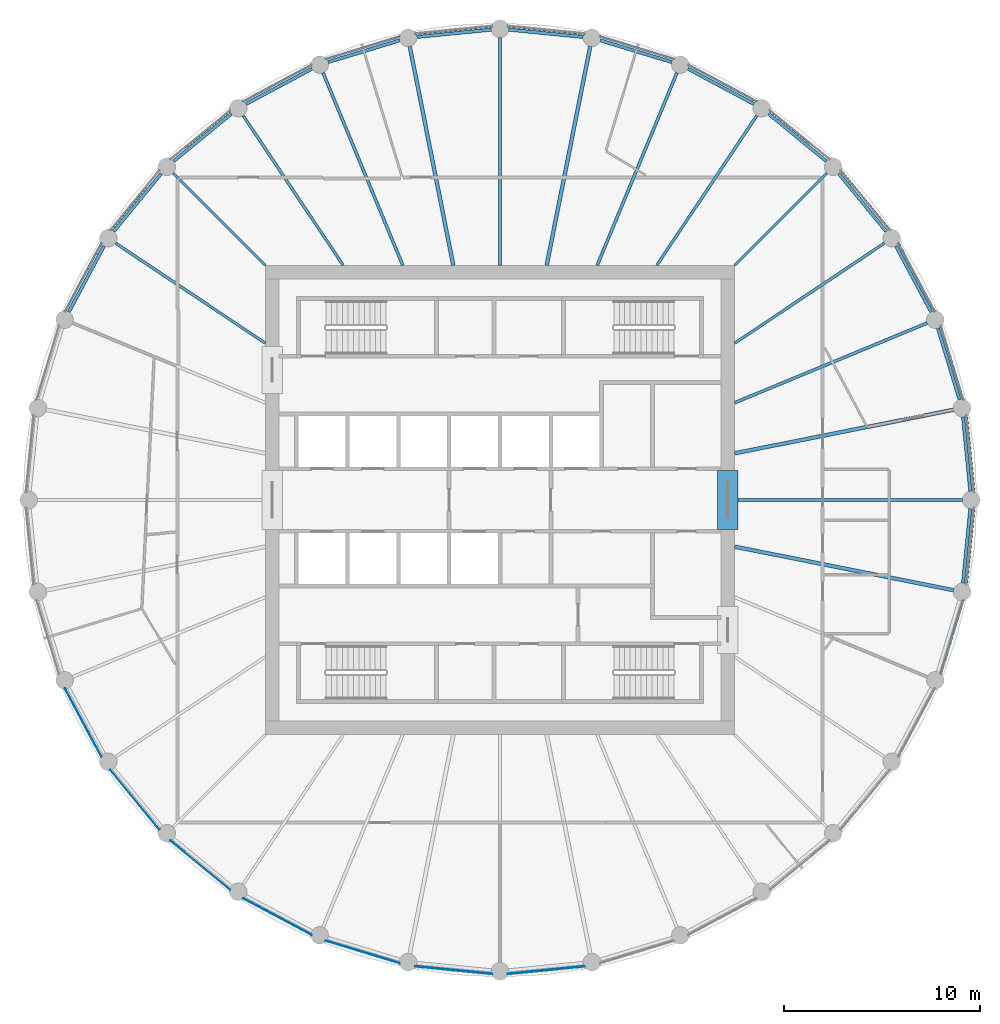
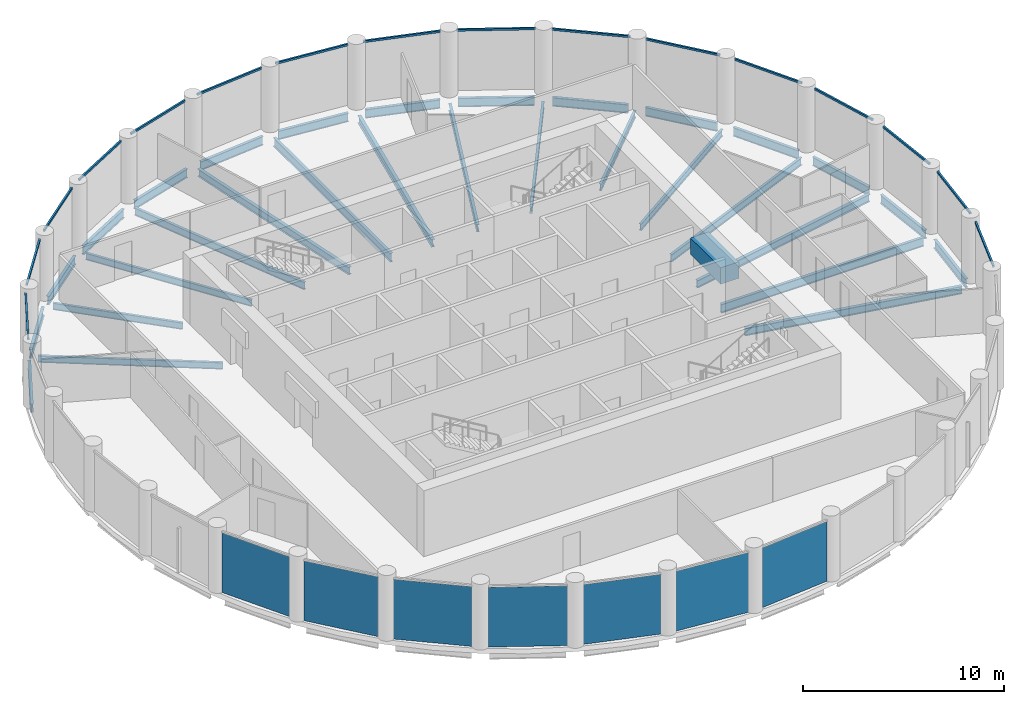
# One storey, part 2 of 7: 31 beams, 16 members, 7 plates, 23 elements without a shape of their own.
"""IFC4 building model written with IfcOpenShell, lengths in metres."""

from ifc_helpers import new_model, si_unit, direction, frame, origin, origin_2d, place, context, subcontext, project, spatial, rectangle, i_section, extrude, material, layer, layer_set, material_profile, profile_set, type_object, element, aggregate, save


model = new_model("IFC4")

# Units and contexts
model_context = context("Model", 3, precision=1e-05, world=origin(), true_north=direction((0.0, 1.0)))
body_context = subcontext(model_context, "Body", "Model", "MODEL_VIEW")
ifc_project = project(units=[si_unit("LENGTHUNIT", "METRE"), si_unit("AREAUNIT", "SQUARE_METRE"), si_unit("VOLUMEUNIT", "CUBIC_METRE"), si_unit("PLANEANGLEUNIT", "RADIAN"), si_unit("MASSUNIT", "GRAM", prefix="KILO")], contexts=[model_context])

# Site, building, storey
site_placement = place(None, origin())
site = spatial("IfcSite", under=ifc_project, at=site_placement, CompositionType="ELEMENT")
building_placement = place(site_placement, origin())
building = spatial("IfcBuilding", under=site, at=building_placement, Name="Corvane Civic Tower", CompositionType="ELEMENT")
storey_placement = place(building_placement, frame((0.0, 0.0, 307.0)))
storey = spatial("IfcBuildingStorey", under=building, at=storey_placement, Name="L73", CompositionType="ELEMENT", Elevation=307.0)

# Beams
ifc_material_1 = material(Name="Concrete C40/50", Category="concrete")
ifc_material_profile_1 = material_profile(ifc_material_1, rectangle(XDim=1.050048828125, YDim=1.0, at=origin_2d()), Name="COUPLING BEAM 1050X1000")
ifc_profile_set_1 = profile_set([ifc_material_profile_1], Name="Concrete C40/50")
beam_type_1 = type_object("IfcBeamType", Name="COUPLING BEAM COUPLING BEAM 1050X1000", PredefinedType="BEAM", material=ifc_profile_set_1)
beam_1_placement = place(storey_placement, frame((11.64990234375, -1.5, 2.60009765625), z_axis=(0.0, 1.0, 0.0), x_axis=(-1.0, 0.0, 0.0)))
element("IfcBeam", 1, at=beam_1_placement, inside=storey, type_object=beam_type_1, Name="BM-L73-cpl-CW-LE", PredefinedType="BEAM", context=body_context, shape_type="SweptSolid", body=[
    extrude(rectangle(XDim=1.050048828125, YDim=1.0, at=origin_2d()), origin(), (0.0, 0.0, 1.0), 3.0),
])
ifc_material_2 = material(Name="Steel ASTM A992 Gr 50", Category="steel")
ifc_material_profile_2 = material_profile(ifc_material_2, i_section(OverallWidth=0.165771484375, OverallDepth=0.5283203125, WebThickness=0.009765625, FlangeThickness=0.013671875, at=origin_2d()), Name="W21X50")
ifc_profile_set_2 = profile_set([ifc_material_profile_2], Name="Steel ASTM A992 Gr 50")
beam_type_2 = type_object("IfcBeamType", Name="EDGE BEAM W21X50", PredefinedType="BEAM", material=ifc_profile_set_2)
for number, where, z_axis, x_axis, name in (
    (2, (0.44775390625, 24.055908203125, -0.564208984375), (0.995187721162, -0.097986732007, 0.0), (0.097986732007, 0.995187721162, 0.0), "BM-L73-E01"),
    (3, (5.13232421875, 23.50634765625, -0.564208984375), (0.95692555902, -0.290333385085, 0.0), (0.290333385085, 0.95692555902, 0.0), "BM-L73-E02"),
):
    element("IfcBeam", number, at=place(storey_placement, frame(where, z_axis=z_axis, x_axis=x_axis)), inside=storey, type_object=beam_type_2, Name=name, PredefinedType="BEAM", context=body_context, shape_type="SweptSolid", body=[
        extrude(i_section(OverallWidth=0.165771484375, OverallDepth=0.5283203125, WebThickness=0.009765625, FlangeThickness=0.013671875, at=origin_2d()), origin(), (0.0, 0.0, 1.0), 3.824462890625),
    ])
beam_2_placement = place(storey_placement, frame((9.61962890625, 22.05322265625, -0.564208984375), z_axis=(0.881914279413, -0.471409804487, 0.0), x_axis=(0.471409804487, 0.881914279413, 0.0)))
element("IfcBeam", 4, at=beam_2_placement, inside=storey, type_object=beam_type_2, Name="BM-L73-E03", PredefinedType="BEAM", context=body_context, shape_type="SweptSolid", body=[
    extrude(i_section(OverallWidth=0.165771484375, OverallDepth=0.5283203125, WebThickness=0.009765625, FlangeThickness=0.013671875, at=origin_2d()), origin(), (0.0, 0.0, 1.0), 3.82421875),
])
for number, where, z_axis, x_axis, name in (
    (5, (13.737060546875, 19.7529296875, -0.564208984375), (0.772997914867, -0.634408562057, 0.0), (0.634408562057, 0.772997914867, 0.0), "BM-L73-E04"),
    (6, (17.32666015625, 16.693359375, -0.564208984375), (0.634408562057, -0.772997914867, 0.0), (0.772997914867, 0.634408562057, 0.0), "BM-L73-E05"),
):
    element("IfcBeam", number, at=place(storey_placement, frame(where, z_axis=z_axis, x_axis=x_axis)), inside=storey, type_object=beam_type_2, Name=name, PredefinedType="BEAM", context=body_context, shape_type="SweptSolid", body=[
        extrude(i_section(OverallWidth=0.165771484375, OverallDepth=0.5283203125, WebThickness=0.009765625, FlangeThickness=0.013671875, at=origin_2d()), origin(), (0.0, 0.0, 1.0), 3.824462890625),
    ])
beam_3_placement = place(storey_placement, frame((20.25048828125, 12.9921875, -0.564208984375), z_axis=(0.471409804487, -0.881914279413, 0.0), x_axis=(0.881914279413, 0.471409804487, 0.0)))
element("IfcBeam", 7, at=beam_3_placement, inside=storey, type_object=beam_type_2, Name="BM-L73-E06", PredefinedType="BEAM", context=body_context, shape_type="SweptSolid", body=[
    extrude(i_section(OverallWidth=0.165771484375, OverallDepth=0.5283203125, WebThickness=0.009765625, FlangeThickness=0.013671875, at=origin_2d()), origin(), (0.0, 0.0, 1.0), 3.82421875),
])
for number, where, z_axis, x_axis, name in (
    (8, (22.39599609375, 8.7919921875, -0.564208984375), (0.290333385085, -0.95692555902, 0.0), (0.95692555902, 0.290333385085, 0.0), "BM-L73-E07"),
    (9, (23.68115234375, 4.25390625, -0.564208984375), (0.097986732007, -0.995187721162, 0.0), (0.995187721162, 0.097986732007, 0.0), "BM-L73-E08"),
    (10, (24.055908203125, -0.44775390625, -0.564208984375), (-0.097986732007, -0.995187721162, 0.0), (0.995187721162, -0.097986732007, 0.0), "BM-L73-E09"),
):
    element("IfcBeam", number, at=place(storey_placement, frame(where, z_axis=z_axis, x_axis=x_axis)), inside=storey, type_object=beam_type_2, Name=name, PredefinedType="BEAM", context=body_context, shape_type="SweptSolid", body=[
        extrude(i_section(OverallWidth=0.165771484375, OverallDepth=0.5283203125, WebThickness=0.009765625, FlangeThickness=0.013671875, at=origin_2d()), origin(), (0.0, 0.0, 1.0), 3.824462890625),
    ])
beam_4_placement = place(storey_placement, frame((-22.05322265625, 9.61962890625, -0.564208984375), z_axis=(0.471409804487, 0.881914279413, 0.0), x_axis=(-0.881914279413, 0.471409804487, 0.0)))
element("IfcBeam", 11, at=beam_4_placement, inside=storey, type_object=beam_type_2, Name="BM-L73-E27", PredefinedType="BEAM", context=body_context, shape_type="SweptSolid", body=[
    extrude(i_section(OverallWidth=0.165771484375, OverallDepth=0.5283203125, WebThickness=0.009765625, FlangeThickness=0.013671875, at=origin_2d()), origin(), (0.0, 0.0, 1.0), 3.82421875),
])
for number, where, z_axis, x_axis, name in (
    (12, (-19.7529296875, 13.737060546875, -0.564208984375), (0.634408562057, 0.772997914867, 0.0), (-0.772997914867, 0.634408562057, 0.0), "BM-L73-E28"),
    (13, (-16.693359375, 17.32666015625, -0.564208984375), (0.772997914867, 0.634408562057, 0.0), (-0.634408562057, 0.772997914867, 0.0), "BM-L73-E29"),
):
    element("IfcBeam", number, at=place(storey_placement, frame(where, z_axis=z_axis, x_axis=x_axis)), inside=storey, type_object=beam_type_2, Name=name, PredefinedType="BEAM", context=body_context, shape_type="SweptSolid", body=[
        extrude(i_section(OverallWidth=0.165771484375, OverallDepth=0.5283203125, WebThickness=0.009765625, FlangeThickness=0.013671875, at=origin_2d()), origin(), (0.0, 0.0, 1.0), 3.824462890625),
    ])
beam_5_placement = place(storey_placement, frame((-12.9921875, 20.25048828125, -0.564208984375), z_axis=(0.881914279413, 0.471409804487, 0.0), x_axis=(-0.471409804487, 0.881914279413, 0.0)))
element("IfcBeam", 14, at=beam_5_placement, inside=storey, type_object=beam_type_2, Name="BM-L73-E30", PredefinedType="BEAM", context=body_context, shape_type="SweptSolid", body=[
    extrude(i_section(OverallWidth=0.165771484375, OverallDepth=0.5283203125, WebThickness=0.009765625, FlangeThickness=0.013671875, at=origin_2d()), origin(), (0.0, 0.0, 1.0), 3.82421875),
])
for number, where, z_axis, x_axis, name in (
    (15, (-8.7919921875, 22.39599609375, -0.564208984375), (0.95692555902, 0.290333385085, 0.0), (-0.290333385085, 0.95692555902, 0.0), "BM-L73-E31"),
    (16, (-4.25390625, 23.68115234375, -0.564208984375), (0.995187721162, 0.097986732007, 0.0), (-0.097986732007, 0.995187721162, 0.0), "BM-L73-E32"),
):
    element("IfcBeam", number, at=place(storey_placement, frame(where, z_axis=z_axis, x_axis=x_axis)), inside=storey, type_object=beam_type_2, Name=name, PredefinedType="BEAM", context=body_context, shape_type="SweptSolid", body=[
        extrude(i_section(OverallWidth=0.165771484375, OverallDepth=0.5283203125, WebThickness=0.009765625, FlangeThickness=0.013671875, at=origin_2d()), origin(), (0.0, 0.0, 1.0), 3.824462890625),
    ])
ifc_material_3 = material(Name="Steel ASTM A992 Gr 50", Category="steel")
ifc_material_profile_3 = material_profile(ifc_material_3, i_section(OverallWidth=0.140380859375, OverallDepth=0.40380859375, WebThickness=0.007080078125, FlangeThickness=0.01123046875, at=origin_2d()), Name="W16X31")
ifc_profile_set_3 = profile_set([ifc_material_profile_3], Name="Steel ASTM A992 Gr 50")
beam_type_3 = type_object("IfcBeamType", Name="FLOOR GIRDER W16X31", PredefinedType="BEAM", material=ifc_profile_set_3)
beam_6_placement = place(storey_placement, frame((8.01806640625, 12.0, -0.501953125), z_axis=(0.555567816355, 0.831471227061, 0.0), x_axis=(-0.831471227061, 0.555567816355, 0.0)))
element("IfcBeam", 17, at=beam_6_placement, inside=storey, type_object=beam_type_3, Name="BM-L73-G04", PredefinedType="BEAM", context=body_context, shape_type="SweptSolid", body=[
    extrude(i_section(OverallWidth=0.140380859375, OverallDepth=0.40380859375, WebThickness=0.007080078125, FlangeThickness=0.01123046875, at=origin_2d()), origin(), (0.0, 0.0, 1.0), 9.2177734375),
])
beam_7_placement = place(storey_placement, frame((12.0, 12.0, -0.501953125), z_axis=(0.707106781187, 0.707106781187, 0.0), x_axis=(-0.707106781187, 0.707106781187, 0.0)))
element("IfcBeam", 18, at=beam_7_placement, inside=storey, type_object=beam_type_3, Name="BM-L73-G05", PredefinedType="BEAM", context=body_context, shape_type="SweptSolid", body=[
    extrude(i_section(OverallWidth=0.140380859375, OverallDepth=0.40380859375, WebThickness=0.007080078125, FlangeThickness=0.01123046875, at=origin_2d()), origin(), (0.0, 0.0, 1.0), 6.679443359375),
])
for number, where, z_axis, x_axis, name in (
    (19, (12.0, 8.01806640625, -0.501953125), (0.831471227061, 0.555567816355, 0.0), (-0.555567816355, 0.831471227061, 0.0), "BM-L73-G06"),
    (20, (-12.0, 8.01806640625, -0.501953125), (-0.831471227061, 0.555567816355, 0.0), (-0.555567816355, -0.831471227061, 0.0), "BM-L73-G28"),
):
    element("IfcBeam", number, at=place(storey_placement, frame(where, z_axis=z_axis, x_axis=x_axis)), inside=storey, type_object=beam_type_3, Name=name, PredefinedType="BEAM", context=body_context, shape_type="SweptSolid", body=[
        extrude(i_section(OverallWidth=0.140380859375, OverallDepth=0.40380859375, WebThickness=0.007080078125, FlangeThickness=0.01123046875, at=origin_2d()), origin(), (0.0, 0.0, 1.0), 9.2177734375),
    ])
beam_8_placement = place(storey_placement, frame((-12.0, 12.0, -0.501953125), z_axis=(-0.707106781187, 0.707106781187, 0.0), x_axis=(-0.707106781187, -0.707106781187, 0.0)))
element("IfcBeam", 21, at=beam_8_placement, inside=storey, type_object=beam_type_3, Name="BM-L73-G29", PredefinedType="BEAM", context=body_context, shape_type="SweptSolid", body=[
    extrude(i_section(OverallWidth=0.140380859375, OverallDepth=0.40380859375, WebThickness=0.007080078125, FlangeThickness=0.01123046875, at=origin_2d()), origin(), (0.0, 0.0, 1.0), 6.679443359375),
])
beam_9_placement = place(storey_placement, frame((-8.01806640625, 12.0, -0.501953125), z_axis=(-0.555567816355, 0.831471227061, 0.0), x_axis=(-0.831471227061, -0.555567816355, 0.0)))
element("IfcBeam", 22, at=beam_9_placement, inside=storey, type_object=beam_type_3, Name="BM-L73-G30", PredefinedType="BEAM", context=body_context, shape_type="SweptSolid", body=[
    extrude(i_section(OverallWidth=0.140380859375, OverallDepth=0.40380859375, WebThickness=0.007080078125, FlangeThickness=0.01123046875, at=origin_2d()), origin(), (0.0, 0.0, 1.0), 9.2177734375),
])
ifc_material_4 = material(Name="Steel ASTM A992 Gr 50", Category="steel")
ifc_material_profile_4 = material_profile(ifc_material_4, i_section(OverallWidth=0.15283203125, OverallDepth=0.45458984375, WebThickness=0.008056640625, FlangeThickness=0.013427734375, at=origin_2d()), Name="W18X40")
ifc_profile_set_4 = profile_set([ifc_material_profile_4], Name="Steel ASTM A992 Gr 50")
beam_type_4 = type_object("IfcBeamType", Name="FLOOR GIRDER W18X40", PredefinedType="BEAM", material=ifc_profile_set_4)
for number, where, z_axis, x_axis, name in (
    (23, (4.970458984375, 12.0, -0.52734375), (0.382694257331, 0.923875048589, 0.0), (-0.923875048589, 0.382694257331, 0.0), "BM-L73-G03"),
    (24, (12.0, 4.970458984375, -0.52734375), (0.923875048589, 0.382694257331, 0.0), (-0.382694257331, 0.923875048589, 0.0), "BM-L73-G07"),
    (25, (-4.970458984375, 12.0, -0.52734375), (-0.382694257331, 0.923875048589, 0.0), (-0.923875048589, -0.382694257331, 0.0), "BM-L73-G31"),
):
    element("IfcBeam", number, at=place(storey_placement, frame(where, z_axis=z_axis, x_axis=x_axis)), inside=storey, type_object=beam_type_4, Name=name, PredefinedType="BEAM", context=body_context, shape_type="SweptSolid", body=[
        extrude(i_section(OverallWidth=0.15283203125, OverallDepth=0.45458984375, WebThickness=0.008056640625, FlangeThickness=0.013427734375, at=origin_2d()), origin(), (0.0, 0.0, 1.0), 10.661376953125),
    ])
ifc_material_5 = material(Name="Steel ASTM A992 Gr 50", Category="steel")
ifc_material_profile_5 = material_profile(ifc_material_5, i_section(OverallWidth=0.1904296875, OverallDepth=0.457275390625, WebThickness=0.009033203125, FlangeThickness=0.014404296875, at=origin_2d()), Name="W18X50")
ifc_profile_set_5 = profile_set([ifc_material_profile_5], Name="Steel ASTM A992 Gr 50")
beam_type_5 = type_object("IfcBeamType", Name="FLOOR GIRDER W18X50", PredefinedType="BEAM", material=ifc_profile_set_5)
for number, where, z_axis, x_axis, name in (
    (26, (2.386962890625, 12.0, -0.528564453125), (0.195079532402, 0.980787426529, 0.0), (-0.980787426529, 0.195079532402, 0.0), "BM-L73-G02"),
    (27, (12.0, 2.386962890625, -0.528564453125), (0.980787426529, 0.195079532402, 0.0), (-0.195079532402, 0.980787426529, 0.0), "BM-L73-G08"),
    (28, (12.0, -2.386962890625, -0.528564453125), (0.980787426529, -0.195079532402, 0.0), (0.195079532402, 0.980787426529, 0.0), "BM-L73-G10"),
    (29, (-2.386962890625, 12.0, -0.528564453125), (-0.195079532402, 0.980787426529, 0.0), (-0.980787426529, -0.195079532402, 0.0), "BM-L73-G32"),
):
    element("IfcBeam", number, at=place(storey_placement, frame(where, z_axis=z_axis, x_axis=x_axis)), inside=storey, type_object=beam_type_5, Name=name, PredefinedType="BEAM", context=body_context, shape_type="SweptSolid", body=[
        extrude(i_section(OverallWidth=0.1904296875, OverallDepth=0.457275390625, WebThickness=0.009033203125, FlangeThickness=0.014404296875, at=origin_2d()), origin(), (0.0, 0.0, 1.0), 11.414794921875),
    ])
ifc_material_6 = material(Name="Steel ASTM A992 Gr 50", Category="steel")
ifc_material_profile_6 = material_profile(ifc_material_6, i_section(OverallWidth=0.165771484375, OverallDepth=0.5283203125, WebThickness=0.009765625, FlangeThickness=0.013671875, at=origin_2d()), Name="W21X50")
ifc_profile_set_6 = profile_set([ifc_material_profile_6], Name="Steel ASTM A992 Gr 50")
beam_type_6 = type_object("IfcBeamType", Name="FLOOR GIRDER W21X50", PredefinedType="BEAM", material=ifc_profile_set_6)
for number, where, z_axis, x_axis, name in (
    (30, (0.0, 12.0, -0.564208984375), (0.0, 1.0, 0.0), (-1.0, 0.0, 0.0), "BM-L73-G01"),
    (31, (12.0, 0.0, -0.564208984375), (1.0, 0.0, 0.0), (0.0, 1.0, 0.0), "BM-L73-G09"),
):
    element("IfcBeam", number, at=place(storey_placement, frame(where, z_axis=z_axis, x_axis=x_axis)), inside=storey, type_object=beam_type_6, Name=name, PredefinedType="BEAM", context=body_context, shape_type="SweptSolid", body=[
        extrude(i_section(OverallWidth=0.165771484375, OverallDepth=0.5283203125, WebThickness=0.009765625, FlangeThickness=0.013671875, at=origin_2d()), origin(), (0.0, 0.0, 1.0), 11.64990234375),
    ])

# Curtain wall, member
ifc_material_7 = material(Name="Anodised aluminium bronze", Category="aluminium")
curtain_wall_type = type_object("IfcCurtainWallType", Name="TOWER CW-T3 STICK CURTAIN WALL", PredefinedType="NOTDEFINED", material=ifc_material_7)
curtain_wall_1_placement = place(storey_placement, origin())
curtain_wall_1 = element("IfcCurtainWall", 32, at=curtain_wall_1_placement, inside=storey, type_object=curtain_wall_type, Name="Curtain wall CW-T3 L73 bay 01", PredefinedType="NOTDEFINED")
ifc_material_8 = material(Name="Anodised aluminium bronze", Category="aluminium")
ifc_material_profile_7 = material_profile(ifc_material_8, rectangle(XDim=0.10009765625, YDim=0.1201171875, at=origin_2d()), Name="TOWER CW-T3 TRANSOM 100x120")
ifc_profile_set_7 = profile_set([ifc_material_profile_7], Name="Anodised aluminium bronze")
member_type = type_object("IfcMemberType", Name="TOWER CW-T3 TRANSOM 100x120", PredefinedType="USERDEFINED", material=ifc_profile_set_7)
member_1_placement = place(storey_placement, frame((0.3984375, 24.24072265625, 3.68994140625), z_axis=(0.995186866683, -0.097995409999, 0.0), x_axis=(0.097995409999, 0.995186866683, 0.0)))
member_1 = element("IfcMember", 33, at=member_1_placement, type_object=member_type, Name="Transom CW-T3 L73 01.1", ObjectType="TRANSOM", PredefinedType="USERDEFINED", context=body_context, shape_type="SweptSolid", body=[
    extrude(rectangle(XDim=0.10009765625, YDim=0.1201171875, at=origin_2d()), origin(), (0.0, 0.0, 1.0), 3.958740234375),
])
aggregate(curtain_wall_1, [member_1])

curtain_wall_2_placement = place(storey_placement, origin())
curtain_wall_2 = element("IfcCurtainWall", 34, at=curtain_wall_2_placement, inside=storey, type_object=curtain_wall_type, Name="Curtain wall CW-T3 L73 bay 02", PredefinedType="NOTDEFINED")
member_2_placement = place(storey_placement, frame((5.119873046875, 23.697265625, 3.68994140625), z_axis=(0.956946054205, -0.290265825309, 0.0), x_axis=(0.290265825309, 0.956946054205, 0.0)))
member_2 = element("IfcMember", 35, at=member_2_placement, type_object=member_type, Name="Transom CW-T3 L73 02.1", ObjectType="TRANSOM", PredefinedType="USERDEFINED", context=body_context, shape_type="SweptSolid", body=[
    extrude(rectangle(XDim=0.10009765625, YDim=0.1201171875, at=origin_2d()), origin(), (0.0, 0.0, 1.0), 3.958984375),
])
aggregate(curtain_wall_2, [member_2])

curtain_wall_3_placement = place(storey_placement, origin())
curtain_wall_3 = element("IfcCurtainWall", 36, at=curtain_wall_3_placement, inside=storey, type_object=curtain_wall_type, Name="Curtain wall CW-T3 L73 bay 03", PredefinedType="NOTDEFINED")
member_3_placement = place(storey_placement, frame((9.644775390625, 22.2431640625, 3.68994140625), z_axis=(0.881883040816, -0.471468241052, 0.0), x_axis=(0.471468241052, 0.881883040816, 0.0)))
member_3 = element("IfcMember", 37, at=member_3_placement, type_object=member_type, Name="Transom CW-T3 L73 03.1", ObjectType="TRANSOM", PredefinedType="USERDEFINED", context=body_context, shape_type="SweptSolid", body=[
    extrude(rectangle(XDim=0.10009765625, YDim=0.1201171875, at=origin_2d()), origin(), (0.0, 0.0, 1.0), 3.958740234375),
])
aggregate(curtain_wall_3, [member_3])

curtain_wall_4_placement = place(storey_placement, origin())
curtain_wall_4 = element("IfcCurtainWall", 38, at=curtain_wall_4_placement, inside=storey, type_object=curtain_wall_type, Name="Curtain wall CW-T3 L73 bay 04", PredefinedType="NOTDEFINED")
member_4_placement = place(storey_placement, frame((13.798828125, 19.93408203125, 3.68994140625), z_axis=(0.772991943051, -0.634415838373, 0.0), x_axis=(0.634415838373, 0.772991943051, 0.0)))
member_4 = element("IfcMember", 39, at=member_4_placement, type_object=member_type, Name="Transom CW-T3 L73 04.1", ObjectType="TRANSOM", PredefinedType="USERDEFINED", context=body_context, shape_type="SweptSolid", body=[
    extrude(rectangle(XDim=0.10009765625, YDim=0.1201171875, at=origin_2d()), origin(), (0.0, 0.0, 1.0), 3.958740234375),
])
aggregate(curtain_wall_4, [member_4])

curtain_wall_5_placement = place(storey_placement, origin())
curtain_wall_5 = element("IfcCurtainWall", 40, at=curtain_wall_5_placement, inside=storey, type_object=curtain_wall_type, Name="Curtain wall CW-T3 L73 bay 05", PredefinedType="NOTDEFINED")
member_5_placement = place(storey_placement, frame((17.422607421875, 16.85888671875, 3.68994140625), z_axis=(0.634415838373, -0.772991943051, 0.0), x_axis=(0.772991943051, 0.634415838373, 0.0)))
member_5 = element("IfcMember", 41, at=member_5_placement, type_object=member_type, Name="Transom CW-T3 L73 05.1", ObjectType="TRANSOM", PredefinedType="USERDEFINED", context=body_context, shape_type="SweptSolid", body=[
    extrude(rectangle(XDim=0.10009765625, YDim=0.1201171875, at=origin_2d()), origin(), (0.0, 0.0, 1.0), 3.958740234375),
])
aggregate(curtain_wall_5, [member_5])

curtain_wall_6_placement = place(storey_placement, origin())
curtain_wall_6 = element("IfcCurtainWall", 42, at=curtain_wall_6_placement, inside=storey, type_object=curtain_wall_type, Name="Curtain wall CW-T3 L73 bay 06", PredefinedType="NOTDEFINED")
member_6_placement = place(storey_placement, frame((20.376708984375, 13.135986328125, 3.68994140625), z_axis=(0.471468241052, -0.881883040816, 0.0), x_axis=(0.881883040816, 0.471468241052, 0.0)))
member_6 = element("IfcMember", 43, at=member_6_placement, type_object=member_type, Name="Transom CW-T3 L73 06.1", ObjectType="TRANSOM", PredefinedType="USERDEFINED", context=body_context, shape_type="SweptSolid", body=[
    extrude(rectangle(XDim=0.10009765625, YDim=0.1201171875, at=origin_2d()), origin(), (0.0, 0.0, 1.0), 3.958740234375),
])
aggregate(curtain_wall_6, [member_6])

curtain_wall_7_placement = place(storey_placement, origin())
curtain_wall_7 = element("IfcCurtainWall", 44, at=curtain_wall_7_placement, inside=storey, type_object=curtain_wall_type, Name="Curtain wall CW-T3 L73 bay 07", PredefinedType="NOTDEFINED")
member_7_placement = place(storey_placement, frame((22.548095703125, 8.908447265625, 3.68994140625), z_axis=(0.290265825309, -0.956946054205, 0.0), x_axis=(0.956946054205, 0.290265825309, 0.0)))
member_7 = element("IfcMember", 45, at=member_7_placement, type_object=member_type, Name="Transom CW-T3 L73 07.1", ObjectType="TRANSOM", PredefinedType="USERDEFINED", context=body_context, shape_type="SweptSolid", body=[
    extrude(rectangle(XDim=0.10009765625, YDim=0.1201171875, at=origin_2d()), origin(), (0.0, 0.0, 1.0), 3.958984375),
])
aggregate(curtain_wall_7, [member_7])

curtain_wall_8_placement = place(storey_placement, origin())
curtain_wall_8 = element("IfcCurtainWall", 46, at=curtain_wall_8_placement, inside=storey, type_object=curtain_wall_type, Name="Curtain wall CW-T3 L73 bay 08", PredefinedType="NOTDEFINED")
member_8_placement = place(storey_placement, frame((23.852783203125, 4.338134765625, 3.68994140625), z_axis=(0.097995409999, -0.995186866683, 0.0), x_axis=(0.995186866683, 0.097995409999, 0.0)))
member_8 = element("IfcMember", 47, at=member_8_placement, type_object=member_type, Name="Transom CW-T3 L73 08.1", ObjectType="TRANSOM", PredefinedType="USERDEFINED", context=body_context, shape_type="SweptSolid", body=[
    extrude(rectangle(XDim=0.10009765625, YDim=0.1201171875, at=origin_2d()), origin(), (0.0, 0.0, 1.0), 3.958740234375),
])
aggregate(curtain_wall_8, [member_8])

curtain_wall_9_placement = place(storey_placement, origin())
curtain_wall_9 = element("IfcCurtainWall", 48, at=curtain_wall_9_placement, inside=storey, type_object=curtain_wall_type, Name="Curtain wall CW-T3 L73 bay 09", PredefinedType="NOTDEFINED")
member_9_placement = place(storey_placement, frame((24.24072265625, -0.3984375, 3.68994140625), z_axis=(-0.097995409999, -0.995186866683, 0.0), x_axis=(0.995186866683, -0.097995409999, 0.0)))
member_9 = element("IfcMember", 49, at=member_9_placement, type_object=member_type, Name="Transom CW-T3 L73 09.1", ObjectType="TRANSOM", PredefinedType="USERDEFINED", context=body_context, shape_type="SweptSolid", body=[
    extrude(rectangle(XDim=0.10009765625, YDim=0.1201171875, at=origin_2d()), origin(), (0.0, 0.0, 1.0), 3.958740234375),
])
aggregate(curtain_wall_9, [member_9])

curtain_wall_10_placement = place(storey_placement, origin())
curtain_wall_10 = element("IfcCurtainWall", 50, at=curtain_wall_10_placement, inside=storey, type_object=curtain_wall_type, Name="Curtain wall CW-T3 L73 bay 10", PredefinedType="NOTDEFINED")
member_10_placement = place(storey_placement, frame((23.697265625, -5.119873046875, 3.68994140625), z_axis=(-0.290265825309, -0.956946054205, 0.0), x_axis=(0.956946054205, -0.290265825309, 0.0)))
member_10 = element("IfcMember", 51, at=member_10_placement, type_object=member_type, Name="Transom CW-T3 L73 10.1", ObjectType="TRANSOM", PredefinedType="USERDEFINED", context=body_context, shape_type="SweptSolid", body=[
    extrude(rectangle(XDim=0.10009765625, YDim=0.1201171875, at=origin_2d()), origin(), (0.0, 0.0, 1.0), 3.958984375),
])
aggregate(curtain_wall_10, [member_10])

curtain_wall_11_placement = place(storey_placement, origin())
curtain_wall_11 = element("IfcCurtainWall", 52, at=curtain_wall_11_placement, inside=storey, type_object=curtain_wall_type, Name="Curtain wall CW-T3 L73 bay 27", PredefinedType="NOTDEFINED")
member_11_placement = place(storey_placement, frame((-22.2431640625, 9.644775390625, 3.68994140625), z_axis=(0.471468241052, 0.881883040816, 0.0), x_axis=(-0.881883040816, 0.471468241052, 0.0)))
member_11 = element("IfcMember", 53, at=member_11_placement, type_object=member_type, Name="Transom CW-T3 L73 27.1", ObjectType="TRANSOM", PredefinedType="USERDEFINED", context=body_context, shape_type="SweptSolid", body=[
    extrude(rectangle(XDim=0.10009765625, YDim=0.1201171875, at=origin_2d()), origin(), (0.0, 0.0, 1.0), 3.958740234375),
])
aggregate(curtain_wall_11, [member_11])

curtain_wall_12_placement = place(storey_placement, origin())
curtain_wall_12 = element("IfcCurtainWall", 54, at=curtain_wall_12_placement, inside=storey, type_object=curtain_wall_type, Name="Curtain wall CW-T3 L73 bay 28", PredefinedType="NOTDEFINED")
member_12_placement = place(storey_placement, frame((-19.93408203125, 13.798828125, 3.68994140625), z_axis=(0.634415838373, 0.772991943051, 0.0), x_axis=(-0.772991943051, 0.634415838373, 0.0)))
member_12 = element("IfcMember", 55, at=member_12_placement, type_object=member_type, Name="Transom CW-T3 L73 28.1", ObjectType="TRANSOM", PredefinedType="USERDEFINED", context=body_context, shape_type="SweptSolid", body=[
    extrude(rectangle(XDim=0.10009765625, YDim=0.1201171875, at=origin_2d()), origin(), (0.0, 0.0, 1.0), 3.958740234375),
])
aggregate(curtain_wall_12, [member_12])

curtain_wall_13_placement = place(storey_placement, origin())
curtain_wall_13 = element("IfcCurtainWall", 56, at=curtain_wall_13_placement, inside=storey, type_object=curtain_wall_type, Name="Curtain wall CW-T3 L73 bay 29", PredefinedType="NOTDEFINED")
member_13_placement = place(storey_placement, frame((-16.85888671875, 17.422607421875, 3.68994140625), z_axis=(0.772991943051, 0.634415838373, 0.0), x_axis=(-0.634415838373, 0.772991943051, 0.0)))
member_13 = element("IfcMember", 57, at=member_13_placement, type_object=member_type, Name="Transom CW-T3 L73 29.1", ObjectType="TRANSOM", PredefinedType="USERDEFINED", context=body_context, shape_type="SweptSolid", body=[
    extrude(rectangle(XDim=0.10009765625, YDim=0.1201171875, at=origin_2d()), origin(), (0.0, 0.0, 1.0), 3.958740234375),
])
aggregate(curtain_wall_13, [member_13])

curtain_wall_14_placement = place(storey_placement, origin())
curtain_wall_14 = element("IfcCurtainWall", 58, at=curtain_wall_14_placement, inside=storey, type_object=curtain_wall_type, Name="Curtain wall CW-T3 L73 bay 30", PredefinedType="NOTDEFINED")
member_14_placement = place(storey_placement, frame((-13.135986328125, 20.376708984375, 3.68994140625), z_axis=(0.881883040816, 0.471468241052, 0.0), x_axis=(-0.471468241052, 0.881883040816, 0.0)))
member_14 = element("IfcMember", 59, at=member_14_placement, type_object=member_type, Name="Transom CW-T3 L73 30.1", ObjectType="TRANSOM", PredefinedType="USERDEFINED", context=body_context, shape_type="SweptSolid", body=[
    extrude(rectangle(XDim=0.10009765625, YDim=0.1201171875, at=origin_2d()), origin(), (0.0, 0.0, 1.0), 3.958740234375),
])
aggregate(curtain_wall_14, [member_14])

curtain_wall_15_placement = place(storey_placement, origin())
curtain_wall_15 = element("IfcCurtainWall", 60, at=curtain_wall_15_placement, inside=storey, type_object=curtain_wall_type, Name="Curtain wall CW-T3 L73 bay 31", PredefinedType="NOTDEFINED")
member_15_placement = place(storey_placement, frame((-8.908447265625, 22.548095703125, 3.68994140625), z_axis=(0.956946054205, 0.290265825309, 0.0), x_axis=(-0.290265825309, 0.956946054205, 0.0)))
member_15 = element("IfcMember", 61, at=member_15_placement, type_object=member_type, Name="Transom CW-T3 L73 31.1", ObjectType="TRANSOM", PredefinedType="USERDEFINED", context=body_context, shape_type="SweptSolid", body=[
    extrude(rectangle(XDim=0.10009765625, YDim=0.1201171875, at=origin_2d()), origin(), (0.0, 0.0, 1.0), 3.958984375),
])
aggregate(curtain_wall_15, [member_15])

curtain_wall_16_placement = place(storey_placement, origin())
curtain_wall_16 = element("IfcCurtainWall", 62, at=curtain_wall_16_placement, inside=storey, type_object=curtain_wall_type, Name="Curtain wall CW-T3 L73 bay 32", PredefinedType="NOTDEFINED")
member_16_placement = place(storey_placement, frame((-4.338134765625, 23.852783203125, 3.68994140625), z_axis=(0.995186866683, 0.097995409999, 0.0), x_axis=(-0.097995409999, 0.995186866683, 0.0)))
member_16 = element("IfcMember", 63, at=member_16_placement, type_object=member_type, Name="Transom CW-T3 L73 32.1", ObjectType="TRANSOM", PredefinedType="USERDEFINED", context=body_context, shape_type="SweptSolid", body=[
    extrude(rectangle(XDim=0.10009765625, YDim=0.1201171875, at=origin_2d()), origin(), (0.0, 0.0, 1.0), 3.958740234375),
])
aggregate(curtain_wall_16, [member_16])

# Curtain wall, plate
curtain_wall_17_placement = place(storey_placement, origin())
curtain_wall_17 = element("IfcCurtainWall", 64, at=curtain_wall_17_placement, inside=storey, type_object=curtain_wall_type, Name="Curtain wall CW-T3 L73 bay 16", PredefinedType="NOTDEFINED")
ifc_material_9 = material(Name="Tinted glass", Category="glass")
ifc_layer = layer(ifc_material_9, 0.028076171875)
ifc_layer_set = layer_set([ifc_layer], Name="Tinted glass")
plate_type = type_object("IfcPlateType", Name="TOWER CW-T3 PANEL IGU28", PredefinedType="CURTAIN_PANEL", material=ifc_layer_set)
plate_1_placement = place(storey_placement, frame((2.368408203125, -24.046875, 0.0), z_axis=(0.0, 0.0, 1.0), x_axis=(-0.99518437747, -0.098020685775, 0.0)))
plate_1 = element("IfcPlate", 65, at=plate_1_placement, type_object=plate_type, Name="Glass panel CW-T3 L73 16.1", PredefinedType="CURTAIN_PANEL", context=body_context, shape_type="SweptSolid", body=[
    extrude(rectangle(XDim=3.958740234375, YDim=0.028076171875, at=origin_2d()), origin(), (0.0, 0.0, 1.0), 3.6298828125),
])
aggregate(curtain_wall_17, [plate_1])

curtain_wall_18_placement = place(storey_placement, origin())
curtain_wall_18 = element("IfcCurtainWall", 66, at=curtain_wall_18_placement, inside=storey, type_object=curtain_wall_type, Name="Curtain wall CW-T3 L73 bay 17", PredefinedType="NOTDEFINED")
plate_2_placement = place(storey_placement, frame((-2.368408203125, -24.046875, 0.0), z_axis=(0.0, 0.0, 1.0), x_axis=(-0.99518437747, 0.098020685775, 0.0)))
plate_2 = element("IfcPlate", 67, at=plate_2_placement, type_object=plate_type, Name="Glass panel CW-T3 L73 17.1", PredefinedType="CURTAIN_PANEL", context=body_context, shape_type="SweptSolid", body=[
    extrude(rectangle(XDim=3.958740234375, YDim=0.028076171875, at=origin_2d()), origin(), (0.0, 0.0, 1.0), 3.6298828125),
])
aggregate(curtain_wall_18, [plate_2])

curtain_wall_19_placement = place(storey_placement, origin())
curtain_wall_19 = element("IfcCurtainWall", 68, at=curtain_wall_19_placement, inside=storey, type_object=curtain_wall_type, Name="Curtain wall CW-T3 L73 bay 18", PredefinedType="NOTDEFINED")
plate_3_placement = place(storey_placement, frame((-7.01416015625, -23.12255859375, 0.0), z_axis=(0.0, 0.0, 1.0), x_axis=(-0.956943694519, 0.290273604586, 0.0)))
plate_3 = element("IfcPlate", 69, at=plate_3_placement, type_object=plate_type, Name="Glass panel CW-T3 L73 18.1", PredefinedType="CURTAIN_PANEL", context=body_context, shape_type="SweptSolid", body=[
    extrude(rectangle(XDim=3.958984375, YDim=0.028076171875, at=origin_2d()), origin(), (0.0, 0.0, 1.0), 3.6298828125),
])
aggregate(curtain_wall_19, [plate_3])

curtain_wall_20_placement = place(storey_placement, origin())
curtain_wall_20 = element("IfcCurtainWall", 70, at=curtain_wall_20_placement, inside=storey, type_object=curtain_wall_type, Name="Curtain wall CW-T3 L73 bay 19", PredefinedType="NOTDEFINED")
plate_4_placement = place(storey_placement, frame((-11.390380859375, -21.31005859375, 0.0), z_axis=(0.0, 0.0, 1.0), x_axis=(-0.881908138655, 0.471421292448, 0.0)))
plate_4 = element("IfcPlate", 71, at=plate_4_placement, type_object=plate_type, Name="Glass panel CW-T3 L73 19.1", PredefinedType="CURTAIN_PANEL", context=body_context, shape_type="SweptSolid", body=[
    extrude(rectangle(XDim=3.958740234375, YDim=0.028076171875, at=origin_2d()), origin(), (0.0, 0.0, 1.0), 3.6298828125),
])
aggregate(curtain_wall_20, [plate_4])

curtain_wall_21_placement = place(storey_placement, origin())
curtain_wall_21 = element("IfcCurtainWall", 72, at=curtain_wall_21_placement, inside=storey, type_object=curtain_wall_type, Name="Curtain wall CW-T3 L73 bay 20", PredefinedType="NOTDEFINED")
plate_5_placement = place(storey_placement, frame((-15.328857421875, -18.67822265625, 0.0), z_axis=(0.0, 0.0, 1.0), x_axis=(-0.773001130565, 0.634404643855, 0.0)))
plate_5 = element("IfcPlate", 73, at=plate_5_placement, type_object=plate_type, Name="Glass panel CW-T3 L73 20.1", PredefinedType="CURTAIN_PANEL", context=body_context, shape_type="SweptSolid", body=[
    extrude(rectangle(XDim=3.958740234375, YDim=0.028076171875, at=origin_2d()), origin(), (0.0, 0.0, 1.0), 3.6298828125),
])
aggregate(curtain_wall_21, [plate_5])

curtain_wall_22_placement = place(storey_placement, origin())
curtain_wall_22 = element("IfcCurtainWall", 74, at=curtain_wall_22_placement, inside=storey, type_object=curtain_wall_type, Name="Curtain wall CW-T3 L73 bay 21", PredefinedType="NOTDEFINED")
plate_6_placement = place(storey_placement, frame((-18.67822265625, -15.328857421875, 0.0), z_axis=(0.0, 0.0, 1.0), x_axis=(-0.634404643855, 0.773001130565, 0.0)))
plate_6 = element("IfcPlate", 75, at=plate_6_placement, type_object=plate_type, Name="Glass panel CW-T3 L73 21.1", PredefinedType="CURTAIN_PANEL", context=body_context, shape_type="SweptSolid", body=[
    extrude(rectangle(XDim=3.958740234375, YDim=0.028076171875, at=origin_2d()), origin(), (0.0, 0.0, 1.0), 3.6298828125),
])
aggregate(curtain_wall_22, [plate_6])

curtain_wall_23_placement = place(storey_placement, origin())
curtain_wall_23 = element("IfcCurtainWall", 76, at=curtain_wall_23_placement, inside=storey, type_object=curtain_wall_type, Name="Curtain wall CW-T3 L73 bay 22", PredefinedType="NOTDEFINED")
plate_7_placement = place(storey_placement, frame((-21.31005859375, -11.390380859375, 0.0), z_axis=(0.0, 0.0, 1.0), x_axis=(-0.471421292448, 0.881908138655, 0.0)))
plate_7 = element("IfcPlate", 77, at=plate_7_placement, type_object=plate_type, Name="Glass panel CW-T3 L73 22.1", PredefinedType="CURTAIN_PANEL", context=body_context, shape_type="SweptSolid", body=[
    extrude(rectangle(XDim=3.958740234375, YDim=0.028076171875, at=origin_2d()), origin(), (0.0, 0.0, 1.0), 3.6298828125),
])
aggregate(curtain_wall_23, [plate_7])

save(model, "model.ifc")
